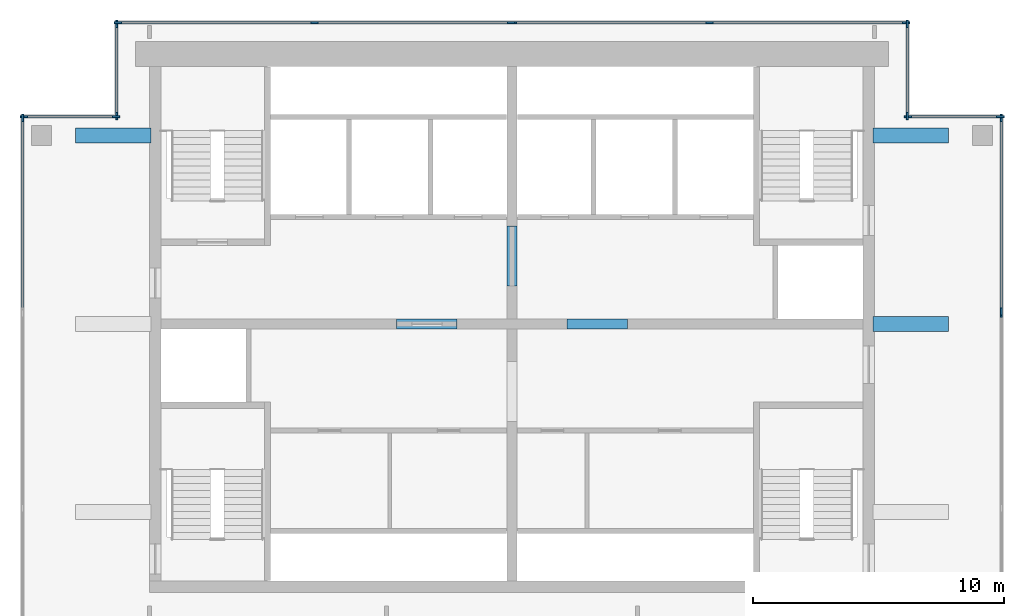
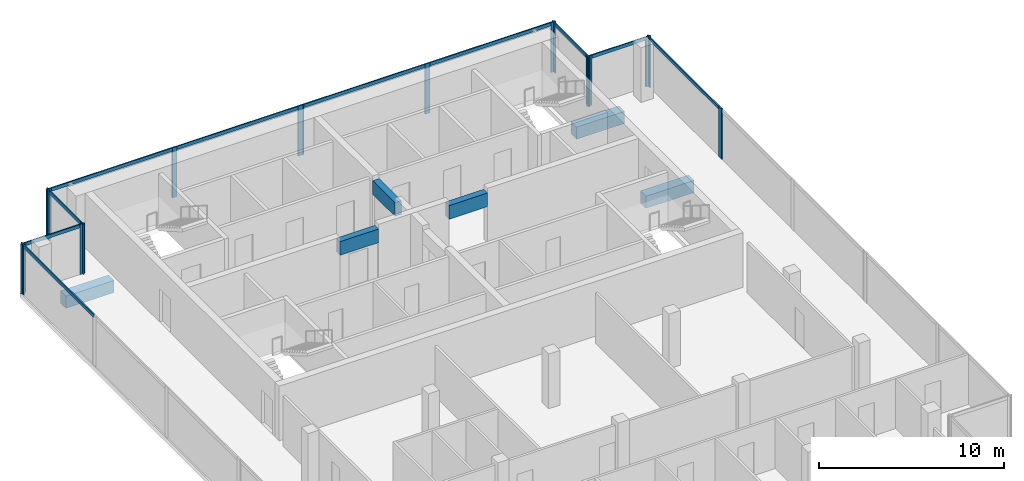
# One storey, part 3 of 8: 28 members, 6 beams, 9 elements without a shape of their own.
"""IFC4 building model written with IfcOpenShell, lengths in metres."""

from ifc_helpers import new_model, si_unit, direction, frame, origin, origin_2d, place, context, subcontext, project, spatial, rectangle, extrude, material, material_profile, profile_set, type_object, element, aggregate, save


model = new_model("IFC4")

# Units and contexts
model_context = context("Model", 3, precision=1e-05, world=origin(), true_north=direction((0.0, 1.0)))
body_context = subcontext(model_context, "Body", "Model", "MODEL_VIEW")
ifc_project = project(units=[si_unit("LENGTHUNIT", "METRE"), si_unit("AREAUNIT", "SQUARE_METRE"), si_unit("VOLUMEUNIT", "CUBIC_METRE"), si_unit("PLANEANGLEUNIT", "RADIAN"), si_unit("MASSUNIT", "GRAM", prefix="KILO")], contexts=[model_context])

# Site, building, storey
site_placement = place(None, origin())
site = spatial("IfcSite", under=ifc_project, at=site_placement, CompositionType="ELEMENT")
building_placement = place(site_placement, origin())
building = spatial("IfcBuilding", under=site, at=building_placement, Name="Pilkhan Gate Tower", CompositionType="ELEMENT")
storey_placement = place(building_placement, frame((0.0, 0.0, 269.300048828125)))
storey = spatial("IfcBuildingStorey", under=building, at=storey_placement, Name="L70", CompositionType="ELEMENT", Elevation=269.300048828125)

# Beams
ifc_material_1 = material(Name="Concrete C50/60", Category="concrete")
ifc_material_profile_1 = material_profile(ifc_material_1, rectangle(XDim=0.60009765625, YDim=0.800048828125, at=origin_2d()), Name="RC 600x800")
ifc_profile_set_1 = profile_set([ifc_material_profile_1], Name="Concrete C50/60")
beam_type_1 = type_object("IfcBeamType", Name="Cantilever beam CB1 RC 600x800 C50/60", PredefinedType="BEAM", material=ifc_profile_set_1)
for number, where, z_axis, x_axis, name in (
    (1, (89.39990234375, 82.5, -0.699951171875), (1.0, 0.0, 0.0), (0.0, 1.0, 0.0), "Crown cantilever beam E10 L70"),
    (2, (89.39990234375, 90.0, -0.699951171875), (1.0, 0.0, 0.0), (0.0, 1.0, 0.0), "Crown cantilever beam E11 L70"),
    (3, (60.60009765625, 90.0, -0.699951171875), (-1.0, 0.0, 0.0), (0.0, -1.0, 0.0), "Crown cantilever beam W17 L70"),
):
    element("IfcBeam", number, at=place(storey_placement, frame(where, z_axis=z_axis, x_axis=x_axis)), inside=storey, type_object=beam_type_1, Name=name, PredefinedType="BEAM", context=body_context, shape_type="SweptSolid", body=[
        extrude(rectangle(XDim=0.60009765625, YDim=0.800048828125, at=origin_2d()), origin(), (0.0, 0.0, 1.0), 3.0),
    ])
ifc_material_profile_2 = material_profile(ifc_material_1, rectangle(XDim=0.39990234375, YDim=0.89990234375, at=origin_2d()), Name="RC 400x900")
ifc_profile_set_2 = profile_set([ifc_material_profile_2], Name="Concrete C50/60")
beam_type_2 = type_object("IfcBeamType", Name="Coupling beam CB90-4 RC 400x900 C50/60", PredefinedType="LINTEL", material=ifc_profile_set_2)
for number, where, z_axis, x_axis, name in (
    (4, (70.39990234375, 82.5, 2.849853515625), (1.0, 0.0, 0.0), (0.0, 1.0, 0.0), "Coupling beam 1 L70"),
    (5, (77.199951171875, 82.5, 2.849853515625), (1.0, 0.0, 0.0), (0.0, 1.0, 0.0), "Coupling beam 2 L70"),
):
    element("IfcBeam", number, at=place(storey_placement, frame(where, z_axis=z_axis, x_axis=x_axis)), inside=storey, type_object=beam_type_2, Name=name, PredefinedType="LINTEL", context=body_context, shape_type="SweptSolid", body=[
        extrude(rectangle(XDim=0.39990234375, YDim=0.89990234375, at=origin_2d()), origin(), (0.0, 0.0, 1.0), 2.400146484375),
    ])
beam_placement = place(storey_placement, frame((75.0, 84.0, 2.849853515625), z_axis=(0.0, 1.0, 0.0), x_axis=(-1.0, 0.0, 0.0)))
element("IfcBeam", 6, at=beam_placement, inside=storey, type_object=beam_type_2, Name="Coupling beam 4 L70", PredefinedType="LINTEL", context=body_context, shape_type="SweptSolid", body=[
    extrude(rectangle(XDim=0.39990234375, YDim=0.89990234375, at=origin_2d()), origin(), (0.0, 0.0, 1.0), 2.39990234375),
])

# Curtain wall, member
ifc_material_2 = material(Name="Pale anodised aluminium, clear low-iron double glazing", Category="aluminium")
curtain_wall_type = type_object("IfcCurtainWallType", Name="Crown unitised curtain wall CW-C", PredefinedType="USERDEFINED", material=ifc_material_2)
curtain_wall_1_placement = place(storey_placement, origin())
curtain_wall_1 = element("IfcCurtainWall", 7, at=curtain_wall_1_placement, inside=storey, type_object=curtain_wall_type, Name="Crown unitised curtain wall CW-C L70 E", ObjectType="UNITISED CURTAIN WALL", PredefinedType="USERDEFINED")
ifc_material_3 = material(Name="Pale anodised aluminium", Category="aluminium")
ifc_material_profile_3 = material_profile(ifc_material_3, rectangle(XDim=0.074951171875, YDim=0.300048828125, at=origin_2d()), Name="Mullion 300x75")
ifc_profile_set_3 = profile_set([ifc_material_profile_3], Name="Pale anodised aluminium")
member_type_1 = type_object("IfcMemberType", Name="Mullion CW-C 300x75", PredefinedType="MULLION", material=ifc_profile_set_3)
member_1_placement = place(storey_placement, frame((94.5, 82.91259765625, 0.0), z_axis=(0.0, 0.0, 1.0), x_axis=(-1.0, 0.0, 0.0)))
member_1 = element("IfcMember", 8, at=member_1_placement, type_object=member_type_1, Name="CW-C mullion 3", PredefinedType="MULLION", context=body_context, shape_type="SweptSolid", body=[
    extrude(rectangle(XDim=0.074951171875, YDim=0.300048828125, at=origin_2d()), origin(), (0.0, 0.0, 1.0), 3.300048828125),
])
aggregate(curtain_wall_1, [member_1])

# Curtain wall, members
curtain_wall_2_placement = place(storey_placement, origin())
curtain_wall_2 = element("IfcCurtainWall", 9, at=curtain_wall_2_placement, inside=storey, type_object=curtain_wall_type, Name="Crown unitised curtain wall CW-C L70 E", ObjectType="UNITISED CURTAIN WALL", PredefinedType="USERDEFINED")
member_2_placement = place(storey_placement, frame((94.5, 82.987548828125, 0.0), z_axis=(0.0, 0.0, 1.0), x_axis=(-1.0, 0.0, 0.0)))
member_2 = element("IfcMember", 10, at=member_2_placement, type_object=member_type_1, Name="CW-C mullion 1", PredefinedType="MULLION", context=body_context, shape_type="SweptSolid", body=[
    extrude(rectangle(XDim=0.074951171875, YDim=0.300048828125, at=origin_2d()), origin(), (0.0, 0.0, 1.0), 3.300048828125),
])
member_3_placement = place(storey_placement, frame((94.5, 90.71240234375, 0.0), z_axis=(0.0, 0.0, 1.0), x_axis=(-1.0, 0.0, 0.0)))
member_3 = element("IfcMember", 11, at=member_3_placement, type_object=member_type_1, Name="CW-C mullion 2", PredefinedType="MULLION", context=body_context, shape_type="SweptSolid", body=[
    extrude(rectangle(XDim=0.074951171875, YDim=0.300048828125, at=origin_2d()), origin(), (0.0, 0.0, 1.0), 3.300048828125),
])

curtain_wall_3_placement = place(storey_placement, origin())
curtain_wall_3 = element("IfcCurtainWall", 12, at=curtain_wall_3_placement, inside=storey, type_object=curtain_wall_type, Name="Crown unitised curtain wall CW-C L70 N", ObjectType="UNITISED CURTAIN WALL", PredefinedType="USERDEFINED")
member_4_placement = place(storey_placement, frame((90.78759765625, 90.75, 0.0), z_axis=(0.0, 0.0, 1.0), x_axis=(0.0, 1.0, 0.0)))
member_4 = element("IfcMember", 13, at=member_4_placement, type_object=member_type_1, Name="CW-C mullion 1", PredefinedType="MULLION", context=body_context, shape_type="SweptSolid", body=[
    extrude(rectangle(XDim=0.074951171875, YDim=0.300048828125, at=origin_2d()), origin(), (0.0, 0.0, 1.0), 3.300048828125),
])
member_5_placement = place(storey_placement, frame((94.46240234375, 90.75, 0.0), z_axis=(0.0, 0.0, 1.0), x_axis=(0.0, 1.0, 0.0)))
member_5 = element("IfcMember", 14, at=member_5_placement, type_object=member_type_1, Name="CW-C mullion 2", PredefinedType="MULLION", context=body_context, shape_type="SweptSolid", body=[
    extrude(rectangle(XDim=0.074951171875, YDim=0.300048828125, at=origin_2d()), origin(), (0.0, 0.0, 1.0), 3.300048828125),
])

curtain_wall_4_placement = place(storey_placement, origin())
curtain_wall_4 = element("IfcCurtainWall", 15, at=curtain_wall_4_placement, inside=storey, type_object=curtain_wall_type, Name="Crown unitised curtain wall CW-C L70 E", ObjectType="UNITISED CURTAIN WALL", PredefinedType="USERDEFINED")
member_6_placement = place(storey_placement, frame((90.75, 90.78759765625, 0.0), z_axis=(0.0, 0.0, 1.0), x_axis=(-1.0, 0.0, 0.0)))
member_6 = element("IfcMember", 16, at=member_6_placement, type_object=member_type_1, Name="CW-C mullion 1", PredefinedType="MULLION", context=body_context, shape_type="SweptSolid", body=[
    extrude(rectangle(XDim=0.074951171875, YDim=0.300048828125, at=origin_2d()), origin(), (0.0, 0.0, 1.0), 3.300048828125),
])
member_7_placement = place(storey_placement, frame((90.75, 94.46240234375, 0.0), z_axis=(0.0, 0.0, 1.0), x_axis=(-1.0, 0.0, 0.0)))
member_7 = element("IfcMember", 17, at=member_7_placement, type_object=member_type_1, Name="CW-C mullion 2", PredefinedType="MULLION", context=body_context, shape_type="SweptSolid", body=[
    extrude(rectangle(XDim=0.074951171875, YDim=0.300048828125, at=origin_2d()), origin(), (0.0, 0.0, 1.0), 3.300048828125),
])

curtain_wall_5_placement = place(storey_placement, origin())
curtain_wall_5 = element("IfcCurtainWall", 18, at=curtain_wall_5_placement, inside=storey, type_object=curtain_wall_type, Name="Crown unitised curtain wall CW-C L70 N", ObjectType="UNITISED CURTAIN WALL", PredefinedType="USERDEFINED")
member_8_placement = place(storey_placement, frame((59.28759765625, 94.5, 0.0), z_axis=(0.0, 0.0, 1.0), x_axis=(0.0, 1.0, 0.0)))
member_8 = element("IfcMember", 19, at=member_8_placement, type_object=member_type_1, Name="CW-C mullion 1", PredefinedType="MULLION", context=body_context, shape_type="SweptSolid", body=[
    extrude(rectangle(XDim=0.074951171875, YDim=0.300048828125, at=origin_2d()), origin(), (0.0, 0.0, 1.0), 3.300048828125),
])
member_9_placement = place(storey_placement, frame((67.125, 94.5, 0.0), z_axis=(0.0, 0.0, 1.0), x_axis=(0.0, 1.0, 0.0)))
member_9 = element("IfcMember", 20, at=member_9_placement, type_object=member_type_1, Name="CW-C mullion 2", PredefinedType="MULLION", context=body_context, shape_type="SweptSolid", body=[
    extrude(rectangle(XDim=0.074951171875, YDim=0.300048828125, at=origin_2d()), origin(), (0.0, 0.0, 1.0), 3.300048828125),
])
member_10_placement = place(storey_placement, frame((74.96240234375, 94.5, 0.0), z_axis=(0.0, 0.0, 1.0), x_axis=(0.0, 1.0, 0.0)))
member_10 = element("IfcMember", 21, at=member_10_placement, type_object=member_type_1, Name="CW-C mullion 3", PredefinedType="MULLION", context=body_context, shape_type="SweptSolid", body=[
    extrude(rectangle(XDim=0.074951171875, YDim=0.300048828125, at=origin_2d()), origin(), (0.0, 0.0, 1.0), 3.300048828125),
])

curtain_wall_6_placement = place(storey_placement, origin())
curtain_wall_6 = element("IfcCurtainWall", 22, at=curtain_wall_6_placement, inside=storey, type_object=curtain_wall_type, Name="Crown unitised curtain wall CW-C L70 N", ObjectType="UNITISED CURTAIN WALL", PredefinedType="USERDEFINED")
member_11_placement = place(storey_placement, frame((75.03759765625, 94.5, 0.0), z_axis=(0.0, 0.0, 1.0), x_axis=(0.0, 1.0, 0.0)))
member_11 = element("IfcMember", 23, at=member_11_placement, type_object=member_type_1, Name="CW-C mullion 1", PredefinedType="MULLION", context=body_context, shape_type="SweptSolid", body=[
    extrude(rectangle(XDim=0.074951171875, YDim=0.300048828125, at=origin_2d()), origin(), (0.0, 0.0, 1.0), 3.300048828125),
])
member_12_placement = place(storey_placement, frame((82.875, 94.5, 0.0), z_axis=(0.0, 0.0, 1.0), x_axis=(0.0, 1.0, 0.0)))
member_12 = element("IfcMember", 24, at=member_12_placement, type_object=member_type_1, Name="CW-C mullion 2", PredefinedType="MULLION", context=body_context, shape_type="SweptSolid", body=[
    extrude(rectangle(XDim=0.074951171875, YDim=0.300048828125, at=origin_2d()), origin(), (0.0, 0.0, 1.0), 3.300048828125),
])
member_13_placement = place(storey_placement, frame((90.71240234375, 94.5, 0.0), z_axis=(0.0, 0.0, 1.0), x_axis=(0.0, 1.0, 0.0)))
member_13 = element("IfcMember", 25, at=member_13_placement, type_object=member_type_1, Name="CW-C mullion 3", PredefinedType="MULLION", context=body_context, shape_type="SweptSolid", body=[
    extrude(rectangle(XDim=0.074951171875, YDim=0.300048828125, at=origin_2d()), origin(), (0.0, 0.0, 1.0), 3.300048828125),
])

curtain_wall_7_placement = place(storey_placement, origin())
curtain_wall_7 = element("IfcCurtainWall", 26, at=curtain_wall_7_placement, inside=storey, type_object=curtain_wall_type, Name="Crown unitised curtain wall CW-C L70 W", ObjectType="UNITISED CURTAIN WALL", PredefinedType="USERDEFINED")
member_14_placement = place(storey_placement, frame((59.25, 90.78759765625, 0.0), z_axis=(0.0, 0.0, 1.0), x_axis=(-1.0, 0.0, 0.0)))
member_14 = element("IfcMember", 27, at=member_14_placement, type_object=member_type_1, Name="CW-C mullion 1", PredefinedType="MULLION", context=body_context, shape_type="SweptSolid", body=[
    extrude(rectangle(XDim=0.074951171875, YDim=0.300048828125, at=origin_2d()), origin(), (0.0, 0.0, 1.0), 3.300048828125),
])
member_15_placement = place(storey_placement, frame((59.25, 94.46240234375, 0.0), z_axis=(0.0, 0.0, 1.0), x_axis=(-1.0, 0.0, 0.0)))
member_15 = element("IfcMember", 28, at=member_15_placement, type_object=member_type_1, Name="CW-C mullion 2", PredefinedType="MULLION", context=body_context, shape_type="SweptSolid", body=[
    extrude(rectangle(XDim=0.074951171875, YDim=0.300048828125, at=origin_2d()), origin(), (0.0, 0.0, 1.0), 3.300048828125),
])

curtain_wall_8_placement = place(storey_placement, origin())
curtain_wall_8 = element("IfcCurtainWall", 29, at=curtain_wall_8_placement, inside=storey, type_object=curtain_wall_type, Name="Crown unitised curtain wall CW-C L70 N", ObjectType="UNITISED CURTAIN WALL", PredefinedType="USERDEFINED")
member_16_placement = place(storey_placement, frame((55.53759765625, 90.75, 0.0), z_axis=(0.0, 0.0, 1.0), x_axis=(0.0, 1.0, 0.0)))
member_16 = element("IfcMember", 30, at=member_16_placement, type_object=member_type_1, Name="CW-C mullion 1", PredefinedType="MULLION", context=body_context, shape_type="SweptSolid", body=[
    extrude(rectangle(XDim=0.074951171875, YDim=0.300048828125, at=origin_2d()), origin(), (0.0, 0.0, 1.0), 3.300048828125),
])
member_17_placement = place(storey_placement, frame((59.21240234375, 90.75, 0.0), z_axis=(0.0, 0.0, 1.0), x_axis=(0.0, 1.0, 0.0)))
member_17 = element("IfcMember", 31, at=member_17_placement, type_object=member_type_1, Name="CW-C mullion 2", PredefinedType="MULLION", context=body_context, shape_type="SweptSolid", body=[
    extrude(rectangle(XDim=0.074951171875, YDim=0.300048828125, at=origin_2d()), origin(), (0.0, 0.0, 1.0), 3.300048828125),
])

# Curtain wall, member
curtain_wall_9_placement = place(storey_placement, origin())
curtain_wall_9 = element("IfcCurtainWall", 32, at=curtain_wall_9_placement, inside=storey, type_object=curtain_wall_type, Name="Crown unitised curtain wall CW-C L70 W", ObjectType="UNITISED CURTAIN WALL", PredefinedType="USERDEFINED")
member_18_placement = place(storey_placement, frame((55.5, 90.71240234375, 0.0), z_axis=(0.0, 0.0, 1.0), x_axis=(-1.0, 0.0, 0.0)))
member_18 = element("IfcMember", 33, at=member_18_placement, type_object=member_type_1, Name="CW-C mullion 2", PredefinedType="MULLION", context=body_context, shape_type="SweptSolid", body=[
    extrude(rectangle(XDim=0.074951171875, YDim=0.300048828125, at=origin_2d()), origin(), (0.0, 0.0, 1.0), 3.300048828125),
])

# Member
ifc_material_profile_4 = material_profile(ifc_material_3, rectangle(XDim=0.074951171875, YDim=0.219970703125, at=origin_2d()), Name="Transom 220x75")
ifc_profile_set_4 = profile_set([ifc_material_profile_4], Name="Pale anodised aluminium")
member_type_2 = type_object("IfcMemberType", Name="Transom CW-C 220x75", PredefinedType="USERDEFINED", material=ifc_profile_set_4)
member_19_placement = place(storey_placement, frame((94.5, 83.02490234375, 3.18994140625), z_axis=(0.0, 1.0, 0.0), x_axis=(-1.0, 0.0, 0.0)))
member_19 = element("IfcMember", 34, at=member_19_placement, type_object=member_type_2, Name="CW-C transom 1", ObjectType="TRANSOM", PredefinedType="USERDEFINED", context=body_context, shape_type="SweptSolid", body=[
    extrude(rectangle(XDim=0.074951171875, YDim=0.219970703125, at=origin_2d()), origin(), (0.0, 0.0, 1.0), 7.650146484375),
])

aggregate(curtain_wall_2, [member_2, member_3, member_19])

member_20_placement = place(storey_placement, frame((90.824951171875, 90.75, 3.18994140625), z_axis=(1.0, 0.0, 0.0), x_axis=(0.0, 1.0, 0.0)))
member_20 = element("IfcMember", 35, at=member_20_placement, type_object=member_type_2, Name="CW-C transom 1", ObjectType="TRANSOM", PredefinedType="USERDEFINED", context=body_context, shape_type="SweptSolid", body=[
    extrude(rectangle(XDim=0.074951171875, YDim=0.219970703125, at=origin_2d()), origin(), (0.0, 0.0, 1.0), 3.60009765625),
])

aggregate(curtain_wall_3, [member_4, member_5, member_20])

member_21_placement = place(storey_placement, frame((90.75, 90.824951171875, 3.18994140625), z_axis=(0.0, 1.0, 0.0), x_axis=(-1.0, 0.0, 0.0)))
member_21 = element("IfcMember", 36, at=member_21_placement, type_object=member_type_2, Name="CW-C transom 1", ObjectType="TRANSOM", PredefinedType="USERDEFINED", context=body_context, shape_type="SweptSolid", body=[
    extrude(rectangle(XDim=0.074951171875, YDim=0.219970703125, at=origin_2d()), origin(), (0.0, 0.0, 1.0), 3.60009765625),
])

aggregate(curtain_wall_4, [member_6, member_7, member_21])

member_22_placement = place(storey_placement, frame((59.324951171875, 94.5, 3.18994140625), z_axis=(1.0, 0.0, 0.0), x_axis=(0.0, 1.0, 0.0)))
member_22 = element("IfcMember", 37, at=member_22_placement, type_object=member_type_2, Name="CW-C transom 1", ObjectType="TRANSOM", PredefinedType="USERDEFINED", context=body_context, shape_type="SweptSolid", body=[
    extrude(rectangle(XDim=0.074951171875, YDim=0.219970703125, at=origin_2d()), origin(), (0.0, 0.0, 1.0), 7.762451171875),
])

member_23_placement = place(storey_placement, frame((67.16259765625, 94.5, 3.18994140625), z_axis=(1.0, 0.0, 0.0), x_axis=(0.0, 1.0, 0.0)))
member_23 = element("IfcMember", 38, at=member_23_placement, type_object=member_type_2, Name="CW-C transom 2", ObjectType="TRANSOM", PredefinedType="USERDEFINED", context=body_context, shape_type="SweptSolid", body=[
    extrude(rectangle(XDim=0.074951171875, YDim=0.219970703125, at=origin_2d()), origin(), (0.0, 0.0, 1.0), 7.762451171875),
])

aggregate(curtain_wall_5, [member_8, member_9, member_10, member_22, member_23])

member_24_placement = place(storey_placement, frame((75.074951171875, 94.5, 3.18994140625), z_axis=(1.0, 0.0, 0.0), x_axis=(0.0, 1.0, 0.0)))
member_24 = element("IfcMember", 39, at=member_24_placement, type_object=member_type_2, Name="CW-C transom 1", ObjectType="TRANSOM", PredefinedType="USERDEFINED", context=body_context, shape_type="SweptSolid", body=[
    extrude(rectangle(XDim=0.074951171875, YDim=0.219970703125, at=origin_2d()), origin(), (0.0, 0.0, 1.0), 7.762451171875),
])

member_25_placement = place(storey_placement, frame((82.91259765625, 94.5, 3.18994140625), z_axis=(1.0, 0.0, 0.0), x_axis=(0.0, 1.0, 0.0)))
member_25 = element("IfcMember", 40, at=member_25_placement, type_object=member_type_2, Name="CW-C transom 2", ObjectType="TRANSOM", PredefinedType="USERDEFINED", context=body_context, shape_type="SweptSolid", body=[
    extrude(rectangle(XDim=0.074951171875, YDim=0.219970703125, at=origin_2d()), origin(), (0.0, 0.0, 1.0), 7.762451171875),
])

aggregate(curtain_wall_6, [member_11, member_12, member_13, member_24, member_25])

member_26_placement = place(storey_placement, frame((59.25, 90.824951171875, 3.18994140625), z_axis=(0.0, 1.0, 0.0), x_axis=(-1.0, 0.0, 0.0)))
member_26 = element("IfcMember", 41, at=member_26_placement, type_object=member_type_2, Name="CW-C transom 1", ObjectType="TRANSOM", PredefinedType="USERDEFINED", context=body_context, shape_type="SweptSolid", body=[
    extrude(rectangle(XDim=0.074951171875, YDim=0.219970703125, at=origin_2d()), origin(), (0.0, 0.0, 1.0), 3.60009765625),
])

aggregate(curtain_wall_7, [member_14, member_15, member_26])

member_27_placement = place(storey_placement, frame((55.574951171875, 90.75, 3.18994140625), z_axis=(1.0, 0.0, 0.0), x_axis=(0.0, 1.0, 0.0)))
member_27 = element("IfcMember", 42, at=member_27_placement, type_object=member_type_2, Name="CW-C transom 1", ObjectType="TRANSOM", PredefinedType="USERDEFINED", context=body_context, shape_type="SweptSolid", body=[
    extrude(rectangle(XDim=0.074951171875, YDim=0.219970703125, at=origin_2d()), origin(), (0.0, 0.0, 1.0), 3.60009765625),
])

aggregate(curtain_wall_8, [member_16, member_17, member_27])

member_28_placement = place(storey_placement, frame((55.5, 83.02490234375, 3.18994140625), z_axis=(0.0, 1.0, 0.0), x_axis=(-1.0, 0.0, 0.0)))
member_28 = element("IfcMember", 43, at=member_28_placement, type_object=member_type_2, Name="CW-C transom 1", ObjectType="TRANSOM", PredefinedType="USERDEFINED", context=body_context, shape_type="SweptSolid", body=[
    extrude(rectangle(XDim=0.074951171875, YDim=0.219970703125, at=origin_2d()), origin(), (0.0, 0.0, 1.0), 7.650146484375),
])

aggregate(curtain_wall_9, [member_18, member_28])

save(model, "model.ifc")
